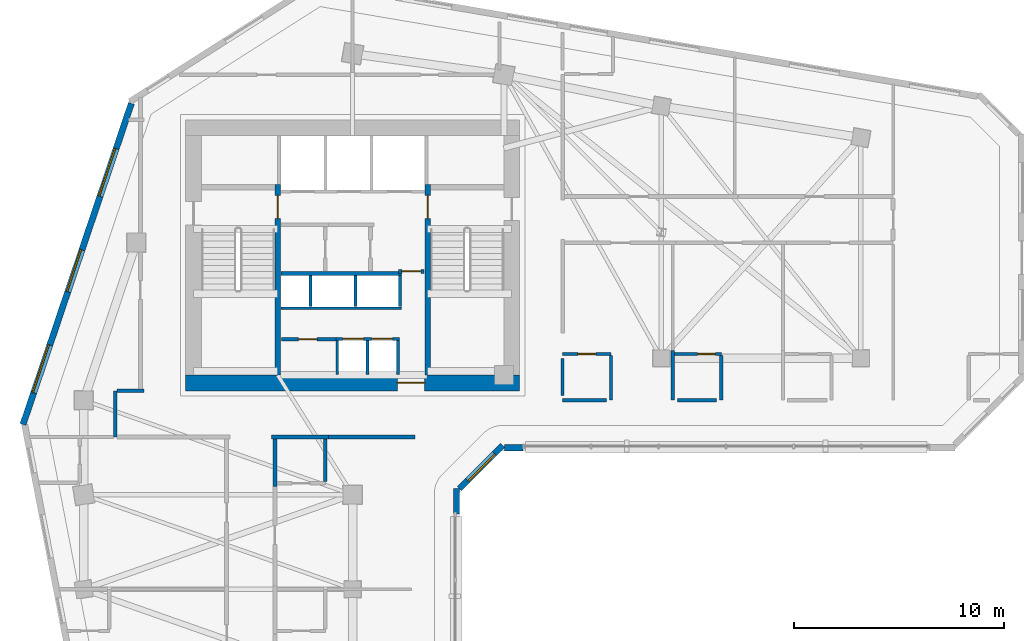
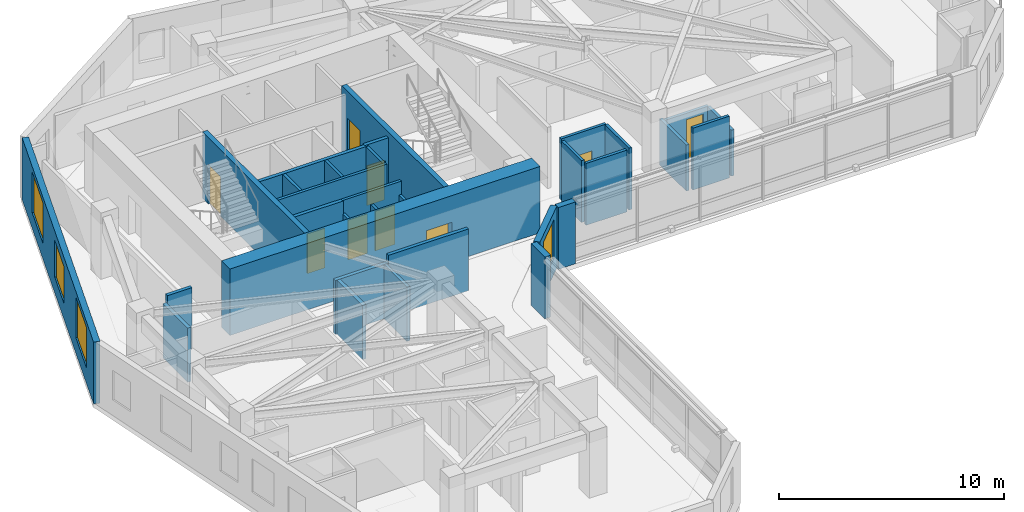
# One storey, part 6 of 14: 32 walls, 9 doors, 4 windows, 13 openings.
"""IFC4 building model written with IfcOpenShell, lengths in metres."""

from ifc_helpers import new_model, si_unit, direction, frame, frame_2d, origin, place, context, subcontext, project, spatial, rectangle, extrude, source, transform, mapped, material, layer, layer_set, type_object, element, fill, save


model = new_model("IFC4")

# Units and contexts
model_context = context("Model", 3, precision=1e-05, world=origin(), true_north=direction((0.0, 1.0)))
body_context = subcontext(model_context, "Body", "Model", "MODEL_VIEW")
ifc_project = project(units=[si_unit("LENGTHUNIT", "METRE"), si_unit("AREAUNIT", "SQUARE_METRE"), si_unit("VOLUMEUNIT", "CUBIC_METRE"), si_unit("PLANEANGLEUNIT", "RADIAN"), si_unit("MASSUNIT", "GRAM", prefix="KILO")], contexts=[model_context])

# Site, building, storey
site_placement = place(None, origin())
site = spatial("IfcSite", under=ifc_project, at=site_placement, CompositionType="ELEMENT")
building_placement = place(site_placement, origin())
building = spatial("IfcBuilding", under=site, at=building_placement, Name="Calvemar Wedge Station Tower", CompositionType="ELEMENT")
storey_placement = place(building_placement, frame((0.0, 0.0, 125.0)))
storey = spatial("IfcBuildingStorey", under=building, at=storey_placement, Name="L30", CompositionType="ELEMENT", Elevation=125.0)

# Wall, opening, door
ifc_material_1 = material(Name="Concrete C50", Category="concrete")
ifc_layer_1 = layer(ifc_material_1, 0.260009765625)
ifc_layer_set_1 = layer_set([ifc_layer_1], Name="Concrete C50")
wall_type_1 = type_object("IfcWallType", Name="SW-CORE-260", PredefinedType="SHEAR", material=ifc_layer_set_1)
wall_1_placement = place(storey_placement, frame((20.22998046875, 34.199951171875, 0.0), z_axis=(0.0, 0.0, 1.0), x_axis=(0.0, 1.0, 0.0)))
wall_1 = element("IfcWall", 1, at=wall_1_placement, inside=storey, type_object=wall_type_1, Name="Storey L30 Core Shear Wall SPINE-W", PredefinedType="SHEAR", context=body_context, shape_type="SweptSolid", body=[
    extrude(rectangle(XDim=9.06005859375, YDim=0.260009765625, at=frame_2d((4.530029296875, 0.0))), origin(), (0.0, 0.0, 1.0), 3.60009765625),
])
shared_shape_1 = source(origin(), body_context, "Body", "SweptSolid", [
    extrude(rectangle(XDim=1.10009765625, YDim=2.14990234375, at=frame_2d((0.550048828125, 1.074951171875))), frame((0.0, 0.14013671875, 0.0), z_axis=(0.0, -1.0, 0.0), x_axis=(1.0, 0.0, 0.0)), (0.0, 0.0, 1.0), 0.280029296875),
])
opening_1_placement = place(wall_1_placement, frame((7.449951171875, 0.0, 0.0)))
opening_1 = element("IfcOpeningElement", 2, at=opening_1_placement, cuts=wall_1, Name="Opening FD-90", PredefinedType="OPENING", context=body_context, shape_type="MappedRepresentation", body=[
    mapped(shared_shape_1, transform((0.0, 0.0, 0.0), scale=1.0)),
])
ifc_material_2 = material(Name="Galvanized fire-rated steel door leaf P-90", Category="steel")
door_type_1 = type_object("IfcDoorType", Name="DR-FD90-1100", OperationType="NOTDEFINED", PredefinedType="DOOR", material=ifc_material_2)
shared_shape_2 = source(origin(), body_context, "Body", "SweptSolid", [
    extrude(rectangle(XDim=1.10009765625, YDim=2.14990234375, at=frame_2d((0.550048828125, 1.074951171875))), frame((0.0, 0.02490234375, 0.0), z_axis=(0.0, -1.0, 0.0), x_axis=(1.0, 0.0, 0.0)), (0.0, 0.0, 1.0), 0.050048828125),
])
door_1_placement = place(opening_1_placement, origin())
door_1 = element("IfcDoor", 3, at=door_1_placement, inside=storey, type_object=door_type_1, Name="L30 FF Lobby to Stair ST-C1 Door", OperationType="SINGLE_SWING_RIGHT", OverallHeight=2.14990234375, OverallWidth=1.10009765625, PredefinedType="DOOR", context=body_context, shape_type="MappedRepresentation", body=[
    mapped(shared_shape_2, transform((0.0, 0.0, 0.0), scale=1.0)),
])
fill(opening_1, door_1)

wall_2_placement = place(storey_placement, frame((27.3701171875, 34.199951171875, 0.0), z_axis=(0.0, 0.0, 1.0), x_axis=(0.0, 1.0, 0.0)))
wall_2 = element("IfcWall", 4, at=wall_2_placement, inside=storey, type_object=wall_type_1, Name="Storey L30 Core Shear Wall SPINE-E", PredefinedType="SHEAR", context=body_context, shape_type="SweptSolid", body=[
    extrude(rectangle(XDim=9.06005859375, YDim=0.260009765625, at=frame_2d((4.530029296875, 0.0))), origin(), (0.0, 0.0, 1.0), 3.60009765625),
])
opening_2_placement = place(wall_2_placement, frame((7.449951171875, 0.0, 0.0)))
opening_2 = element("IfcOpeningElement", 5, at=opening_2_placement, cuts=wall_2, Name="Opening FD-90", PredefinedType="OPENING", context=body_context, shape_type="MappedRepresentation", body=[
    mapped(shared_shape_1, transform((0.0, 0.0, 0.0), scale=1.0)),
])
door_2_placement = place(opening_2_placement, origin())
door_2 = element("IfcDoor", 6, at=door_2_placement, inside=storey, type_object=door_type_1, Name="L30 FF Lobby to Stair ST-C2 Door", OperationType="SINGLE_SWING_LEFT", OverallHeight=2.14990234375, OverallWidth=1.10009765625, PredefinedType="DOOR", context=body_context, shape_type="MappedRepresentation", body=[
    mapped(shared_shape_2, transform((0.0, 0.0, 0.0), scale=1.0)),
])
fill(opening_2, door_2)

ifc_material_3 = material(Name="Concrete C70", Category="concrete")
ifc_layer_2 = layer(ifc_material_3, 0.75)
ifc_layer_set_2 = layer_set([ifc_layer_2], Name="Concrete C70")
wall_type_2 = type_object("IfcWallType", Name="SW-CORE-750", PredefinedType="SHEAR", material=ifc_layer_set_2)
wall_3_placement = place(storey_placement, frame((15.85009765625, 33.824951171875, 0.0), z_axis=(0.0, 0.0, 1.0), x_axis=(1.0, 0.0, 0.0)))
wall_3 = element("IfcWall", 7, at=wall_3_placement, inside=storey, type_object=wall_type_2, Name="Storey L30 Core Shear Wall S", PredefinedType="SHEAR", context=body_context, shape_type="SweptSolid", body=[
    extrude(rectangle(XDim=15.89990234375, YDim=0.75, at=frame_2d((7.949951171875, 0.0))), origin(), (0.0, 0.0, 1.0), 3.60009765625),
])
shared_shape_3 = source(origin(), body_context, "Body", "SweptSolid", [
    extrude(rectangle(XDim=1.300048828125, YDim=2.14990234375, at=frame_2d((0.64990234375, 1.074951171875))), frame((0.0, 0.385009765625, 0.0), z_axis=(0.0, -1.0, 0.0), x_axis=(1.0, 0.0, 0.0)), (0.0, 0.0, 1.0), 0.77001953125),
])
opening_3_placement = place(wall_3_placement, frame((10.080078125, 0.0, 0.0)))
opening_3 = element("IfcOpeningElement", 8, at=opening_3_placement, cuts=wall_3, Name="Opening DD-130", PredefinedType="OPENING", context=body_context, shape_type="MappedRepresentation", body=[
    mapped(shared_shape_3, transform((0.0, 0.0, 0.0), scale=1.0)),
])
ifc_material_4 = material(Name="Double-leaf lift lobby fire door EI 60")
door_type_2 = type_object("IfcDoorType", Name="DR-DBL-1300", OperationType="DOUBLE_DOOR_SINGLE_SWING", PredefinedType="DOOR", material=ifc_material_4)
shared_shape_4 = source(origin(), body_context, "Body", "SweptSolid", [
    extrude(rectangle(XDim=1.300048828125, YDim=2.14990234375, at=frame_2d((0.64990234375, 1.074951171875))), frame((0.0, 0.02490234375, 0.0), z_axis=(0.0, -1.0, 0.0), x_axis=(1.0, 0.0, 0.0)), (0.0, 0.0, 1.0), 0.050048828125),
])
door_3_placement = place(opening_3_placement, origin())
door_3 = element("IfcDoor", 9, at=door_3_placement, inside=storey, type_object=door_type_2, Name="L30 Passenger Lift Lobby Door", OperationType="DOUBLE_DOOR_SINGLE_SWING", OverallHeight=2.14990234375, OverallWidth=1.300048828125, PredefinedType="DOOR", context=body_context, shape_type="MappedRepresentation", body=[
    mapped(shared_shape_4, transform((0.0, 0.0, 0.0), scale=1.0)),
])
fill(opening_3, door_3)

ifc_material_5 = material(Name="Double-stud fire-rated corridor partition")
ifc_layer_3 = layer(ifc_material_5, 0.179931640625)
ifc_layer_set_3 = layer_set([ifc_layer_3], Name="Double-stud fire-rated corridor partition")
wall_type_3 = type_object("IfcWallType", Name="W-CORR-180", PredefinedType="PARTITIONING", material=ifc_layer_set_3)
wall_4_placement = place(storey_placement, frame((27.199951171875, 39.1298828125, 0.0), z_axis=(0.0, 0.0, 1.0), x_axis=(-1.0, 0.0, 0.0)))
wall_4 = element("IfcWall", 10, at=wall_4_placement, inside=storey, type_object=wall_type_3, Name="Storey L30 Interior Partition WL-L30-005", PredefinedType="PARTITIONING", context=body_context, shape_type="SweptSolid", body=[
    extrude(rectangle(XDim=1.2099609375, YDim=0.179931640625, at=frame_2d((0.60498046875, 0.0))), origin(), (0.0, 0.0, 1.0), 3.35009765625),
])
shared_shape_5 = source(origin(), body_context, "Body", "SweptSolid", [
    extrude(rectangle(XDim=0.89990234375, YDim=2.14990234375, at=frame_2d((0.449951171875, 1.074951171875))), frame((0.0, 0.10009765625, 0.0), z_axis=(0.0, -1.0, 0.0), x_axis=(1.0, 0.0, 0.0)), (0.0, 0.0, 1.0), 0.199951171875),
])
opening_4_placement = place(wall_4_placement, frame((0.155029296875, 0.0, 0.0)))
opening_4 = element("IfcOpeningElement", 11, at=opening_4_placement, cuts=wall_4, Name="Opening FD-60", PredefinedType="OPENING", context=body_context, shape_type="MappedRepresentation", body=[
    mapped(shared_shape_5, transform((0.0, 0.0, 0.0), scale=1.0)),
])
ifc_material_6 = material(Name="Fire-rated acoustic timber-core entrance door EI 60", Category="wood")
door_type_3 = type_object("IfcDoorType", Name="DR-FD60-900", OperationType="NOTDEFINED", PredefinedType="DOOR", material=ifc_material_6)
shared_shape_6 = source(origin(), body_context, "Body", "SweptSolid", [
    extrude(rectangle(XDim=0.89990234375, YDim=2.14990234375, at=frame_2d((0.449951171875, 1.074951171875))), frame((0.0, 0.02490234375, 0.0), z_axis=(0.0, -1.0, 0.0), x_axis=(1.0, 0.0, 0.0)), (0.0, 0.0, 1.0), 0.050048828125),
])
door_4_placement = place(opening_4_placement, origin())
door_4 = element("IfcDoor", 12, at=door_4_placement, inside=storey, type_object=door_type_3, Name="L30 Core Service Lobby Door", OperationType="SINGLE_SWING_RIGHT", OverallHeight=2.14990234375, OverallWidth=0.89990234375, PredefinedType="DOOR", context=body_context, shape_type="MappedRepresentation", body=[
    mapped(shared_shape_6, transform((0.0, 0.0, 0.0), scale=1.0)),
])
fill(opening_4, door_4)

wall_5_placement = place(storey_placement, frame((20.419921875, 35.89990234375, 0.0), z_axis=(0.0, 0.0, 1.0), x_axis=(1.0, 0.0, 0.0)))
wall_5 = element("IfcWall", 13, at=wall_5_placement, inside=storey, type_object=wall_type_3, Name="Storey L30 Interior Partition WL-L30-006", PredefinedType="PARTITIONING", context=body_context, shape_type="SweptSolid", body=[
    extrude(rectangle(XDim=2.6201171875, YDim=0.179931640625, at=frame_2d((1.31005859375, 0.0))), origin(), (0.0, 0.0, 1.0), 3.35009765625),
])
opening_5_placement = place(wall_5_placement, frame((0.795654296875, 0.0, 0.0)))
opening_5 = element("IfcOpeningElement", 14, at=opening_5_placement, cuts=wall_5, Name="Opening FD-60", PredefinedType="OPENING", context=body_context, shape_type="MappedRepresentation", body=[
    mapped(shared_shape_5, transform((0.0, 0.0, 0.0), scale=1.0)),
])
door_5_placement = place(opening_5_placement, origin())
door_5 = element("IfcDoor", 15, at=door_5_placement, inside=storey, type_object=door_type_3, Name="L30 Housekeeping Store Door", OperationType="SINGLE_SWING_LEFT", OverallHeight=2.14990234375, OverallWidth=0.89990234375, PredefinedType="DOOR", context=body_context, shape_type="MappedRepresentation", body=[
    mapped(shared_shape_6, transform((0.0, 0.0, 0.0), scale=1.0)),
])
fill(opening_5, door_5)

# Walls
wall_6_placement = place(storey_placement, frame((12.5, 31.25, 0.0), z_axis=(0.0, 0.0, 1.0), x_axis=(0.0, 1.0, 0.0)))
element("IfcWall", 16, at=wall_6_placement, inside=storey, type_object=wall_type_3, Name="Storey L30 Interior Partition WL-L30-007", PredefinedType="PARTITIONING", context=body_context, shape_type="SweptSolid", body=[
    extrude(rectangle(XDim=2.199951171875, YDim=0.179931640625, at=frame_2d((1.10009765625, 0.0))), origin(), (0.0, 0.0, 1.0), 2.93505859375),
])
wall_7_placement = place(storey_placement, frame((12.593994140625, 33.449951171875, 0.0), z_axis=(0.0, 0.0, 1.0), x_axis=(1.0, 0.0, 0.0)))
element("IfcWall", 17, at=wall_7_placement, inside=storey, type_object=wall_type_3, Name="Storey L30 Interior Partition WL-L30-008", PredefinedType="PARTITIONING", context=body_context, shape_type="SweptSolid", body=[
    extrude(rectangle(XDim=1.26611328125, YDim=0.179931640625, at=frame_2d((0.633056640625, 0.0))), origin(), (0.0, 0.0, 1.0), 3.35009765625),
])
wall_8_placement = place(storey_placement, frame((22.659912109375, 31.25, 0.0), z_axis=(0.0, 0.0, 1.0), x_axis=(-1.0, 0.0, 0.0)))
element("IfcWall", 18, at=wall_8_placement, inside=storey, type_object=wall_type_3, Name="Storey L30 Interior Partition WL-L30-010", PredefinedType="PARTITIONING", context=body_context, shape_type="SweptSolid", body=[
    extrude(rectangle(XDim=2.719970703125, YDim=0.179931640625, at=frame_2d((1.35986328125, 0.0))), origin(), (0.0, 0.0, 1.0), 2.93505859375),
])
wall_9_placement = place(storey_placement, frame((26.760009765625, 31.25, 0.0), z_axis=(0.0, 0.0, 1.0), x_axis=(-1.0, 0.0, 0.0)))
element("IfcWall", 19, at=wall_9_placement, inside=storey, type_object=wall_type_3, Name="Storey L30 Interior Partition WL-L30-011", PredefinedType="PARTITIONING", context=body_context, shape_type="SweptSolid", body=[
    extrude(rectangle(XDim=4.097900390625, YDim=0.179931640625, at=frame_2d((2.048828125, 0.0))), origin(), (0.0, 0.0, 1.0), 3.35009765625),
])
wall_10_placement = place(storey_placement, frame((20.10009765625, 31.156005859375, 0.0), z_axis=(0.0, 0.0, 1.0), x_axis=(0.0, -1.0, 0.0)))
element("IfcWall", 20, at=wall_10_placement, inside=storey, type_object=wall_type_3, Name="Storey L30 Interior Partition WL-L30-052", PredefinedType="PARTITIONING", context=body_context, shape_type="SweptSolid", body=[
    extrude(rectangle(XDim=2.26611328125, YDim=0.179931640625, at=frame_2d((1.133056640625, 0.0))), origin(), (0.0, 0.0, 1.0), 2.93505859375),
])
ifc_material_7 = material(Name="Precast concrete C45", Category="concrete")
ifc_layer_4 = layer(ifc_material_7, 0.300048828125)
ifc_layer_set_4 = layer_set([ifc_layer_4], Name="Precast concrete C45")
wall_type_4 = type_object("IfcWallType", Name="W-EXT-GFRC-300", PredefinedType="SOLIDWALL", material=ifc_layer_set_4)
wall_11_placement = place(storey_placement, frame((28.74609375, 27.57666015625, 0.0), z_axis=(0.0, 0.0, 1.0), x_axis=(0.0, 1.0, 0.0)))
element("IfcWall", 21, at=wall_11_placement, inside=storey, type_object=wall_type_4, Name="Storey L30 Bronze GFRC Corner Pier 4B", PredefinedType="SOLIDWALL", context=body_context, shape_type="SweptSolid", body=[
    extrude(rectangle(XDim=1.2275390625, YDim=0.300048828125, at=frame_2d((0.61376953125, 0.0))), origin(), (0.0, 0.0, 1.0), 3.35009765625),
])

# Wall, opening, window
wall_12_placement = place(storey_placement, frame((28.884033203125, 28.7919921875, 0.0), z_axis=(0.0, 0.0, 1.0), x_axis=(0.707064797706, 0.707148762175, 0.0)))
wall_12 = element("IfcWall", 22, at=wall_12_placement, inside=storey, type_object=wall_type_4, Name="Storey L30 Bronze GFRC Exterior Wall 5", PredefinedType="SOLIDWALL", context=body_context, shape_type="SweptSolid", body=[
    extrude(rectangle(XDim=2.90771484375, YDim=0.300048828125, at=frame_2d((1.453857421875, 0.0))), origin(), (0.0, 0.0, 1.0), 3.35009765625),
])
shared_shape_7 = source(origin(), body_context, "Body", "SweptSolid", [
    extrude(rectangle(XDim=1.800048828125, YDim=2.10009765625, at=frame_2d((0.89990234375, 1.050048828125))), frame((0.0, 0.16015625, 0.0), z_axis=(0.0, -1.0, 0.0), x_axis=(1.0, 0.0, 0.0)), (0.0, 0.0, 1.0), 0.320068359375),
])
opening_6_placement = place(wall_12_placement, frame((0.553955078125, 0.0, 0.85009765625)))
opening_6 = element("IfcOpeningElement", 23, at=opening_6_placement, cuts=wall_12, Name="Opening W2", PredefinedType="OPENING", context=body_context, shape_type="MappedRepresentation", body=[
    mapped(shared_shape_7, transform((0.0, 0.0, 0.0), scale=1.0)),
])
ifc_material_8 = material(Name="Low-E laminated insulated glass", Category="glass")
window_type_1 = type_object("IfcWindowType", Name="WIN-EXT-2", PartitioningType="SINGLE_PANEL", PredefinedType="WINDOW", material=ifc_material_8)
shared_shape_8 = source(origin(), body_context, "Body", "SweptSolid", [
    extrude(rectangle(XDim=1.800048828125, YDim=2.10009765625, at=frame_2d((0.89990234375, 1.050048828125))), frame((0.0, -0.014892578125, 0.0), z_axis=(0.0, -1.0, 0.0), x_axis=(1.0, 0.0, 0.0)), (0.0, 0.0, 1.0), 0.06005859375),
])
window_1_placement = place(opening_6_placement, origin())
window_1 = element("IfcWindow", 24, at=window_1_placement, inside=storey, type_object=window_type_1, Name="Storey L30 Recessed Window 5.1", OverallHeight=2.10009765625, OverallWidth=1.800048828125, PartitioningType="SINGLE_PANEL", PredefinedType="WINDOW", context=body_context, shape_type="MappedRepresentation", body=[
    mapped(shared_shape_8, transform((0.0, 0.0, 0.0), scale=1.0)),
])
fill(opening_6, window_1)

# Wall
wall_13_placement = place(storey_placement, frame((31.029052734375, 30.741943359375, 0.0), z_axis=(0.0, 0.0, 1.0), x_axis=(1.0, 0.0, 0.0)))
element("IfcWall", 25, at=wall_13_placement, inside=storey, type_object=wall_type_4, Name="Storey L30 Bronze GFRC Corner Pier 6A", PredefinedType="SOLIDWALL", context=body_context, shape_type="SweptSolid", body=[
    extrude(rectangle(XDim=0.88232421875, YDim=0.300048828125, at=frame_2d((0.441162109375, 0.0))), origin(), (0.0, 0.0, 1.0), 3.35009765625),
])

# Wall, openings, windows
wall_14_placement = place(storey_placement, frame((13.2685546875, 47.1337890625, 0.0), z_axis=(0.0, 0.0, 1.0), x_axis=(-0.319929596295, -0.947441319246, 0.0)))
wall_14 = element("IfcWall", 26, at=wall_14_placement, inside=storey, type_object=wall_type_4, Name="Storey L30 Bronze GFRC Exterior Wall 12", PredefinedType="SOLIDWALL", context=body_context, shape_type="SweptSolid", body=[
    extrude(rectangle(XDim=16.13427734375, YDim=0.300048828125, at=frame_2d((8.067138671875, 0.0))), origin(), (0.0, 0.0, 1.0), 3.35009765625),
])
shared_shape_9 = source(origin(), body_context, "Body", "SweptSolid", [
    extrude(rectangle(XDim=2.39990234375, YDim=2.199951171875, at=frame_2d((1.199951171875, 1.10009765625))), frame((0.0, 0.16015625, 0.0), z_axis=(0.0, -1.0, 0.0), x_axis=(1.0, 0.0, 0.0)), (0.0, 0.0, 1.0), 0.320068359375),
])
opening_7_placement = place(wall_14_placement, frame((2.27587890625, 0.0, 0.85009765625)))
opening_7 = element("IfcOpeningElement", 27, at=opening_7_placement, cuts=wall_14, Name="Opening W1", PredefinedType="OPENING", context=body_context, shape_type="MappedRepresentation", body=[
    mapped(shared_shape_9, transform((0.0, 0.0, 0.0), scale=1.0)),
])
shared_shape_10 = source(origin(), body_context, "Body", "SweptSolid", [
    extrude(rectangle(XDim=2.10009765625, YDim=2.0, at=frame_2d((1.050048828125, 1.0))), frame((0.0, 0.16015625, 0.0), z_axis=(0.0, -1.0, 0.0), x_axis=(1.0, 0.0, 0.0)), (0.0, 0.0, 1.0), 0.320068359375),
])
opening_8_placement = place(wall_14_placement, frame((7.361083984375, 0.0, 0.85009765625)))
opening_8 = element("IfcOpeningElement", 28, at=opening_8_placement, cuts=wall_14, Name="Opening W4", PredefinedType="OPENING", context=body_context, shape_type="MappedRepresentation", body=[
    mapped(shared_shape_10, transform((0.0, 0.0, 0.0), scale=1.0)),
])
opening_9_placement = place(wall_14_placement, frame((12.14697265625, 0.0, 0.85009765625)))
opening_9 = element("IfcOpeningElement", 29, at=opening_9_placement, cuts=wall_14, Name="Opening W1", PredefinedType="OPENING", context=body_context, shape_type="MappedRepresentation", body=[
    mapped(shared_shape_9, transform((0.0, 0.0, 0.0), scale=1.0)),
])
window_type_2 = type_object("IfcWindowType", Name="WIN-EXT-4", PartitioningType="SINGLE_PANEL", PredefinedType="WINDOW", material=ifc_material_8)
shared_shape_11 = source(origin(), body_context, "Body", "SweptSolid", [
    extrude(rectangle(XDim=2.10009765625, YDim=2.0, at=frame_2d((1.050048828125, 1.0))), frame((0.0, -0.014892578125, 0.0), z_axis=(0.0, -1.0, 0.0), x_axis=(1.0, 0.0, 0.0)), (0.0, 0.0, 1.0), 0.06005859375),
])
window_2_placement = place(opening_8_placement, origin())
window_2 = element("IfcWindow", 30, at=window_2_placement, inside=storey, type_object=window_type_2, Name="Storey L30 Recessed Window 12.2", OverallHeight=2.0, OverallWidth=2.10009765625, PartitioningType="SINGLE_PANEL", PredefinedType="WINDOW", context=body_context, shape_type="MappedRepresentation", body=[
    mapped(shared_shape_11, transform((0.0, 0.0, 0.0), scale=1.0)),
])
fill(opening_8, window_2)
window_type_3 = type_object("IfcWindowType", Name="WIN-EXT-1", PartitioningType="SINGLE_PANEL", PredefinedType="WINDOW", material=ifc_material_8)
shared_shape_12 = source(origin(), body_context, "Body", "SweptSolid", [
    extrude(rectangle(XDim=2.39990234375, YDim=2.199951171875, at=frame_2d((1.199951171875, 1.10009765625))), frame((0.0, -0.014892578125, 0.0), z_axis=(0.0, -1.0, 0.0), x_axis=(1.0, 0.0, 0.0)), (0.0, 0.0, 1.0), 0.06005859375),
])
window_3_placement = place(opening_7_placement, origin())
window_3 = element("IfcWindow", 31, at=window_3_placement, inside=storey, type_object=window_type_3, Name="Storey L30 Recessed Window 12.1", OverallHeight=2.199951171875, OverallWidth=2.39990234375, PartitioningType="SINGLE_PANEL", PredefinedType="WINDOW", context=body_context, shape_type="MappedRepresentation", body=[
    mapped(shared_shape_12, transform((0.0, 0.0, 0.0), scale=1.0)),
])
fill(opening_7, window_3)
window_4_placement = place(opening_9_placement, origin())
window_4 = element("IfcWindow", 32, at=window_4_placement, inside=storey, type_object=window_type_3, Name="Storey L30 Recessed Window 12.3", OverallHeight=2.199951171875, OverallWidth=2.39990234375, PartitioningType="SINGLE_PANEL", PredefinedType="WINDOW", context=body_context, shape_type="MappedRepresentation", body=[
    mapped(shared_shape_12, transform((0.0, 0.0, 0.0), scale=1.0)),
])
fill(opening_9, window_4)

# Wall, openings, doors
ifc_material_9 = material(Name="Reinforced concrete blockwork lift shaft wall", Category="masonry")
ifc_layer_5 = layer(ifc_material_9, 0.139892578125)
ifc_layer_set_5 = layer_set([ifc_layer_5], Name="Reinforced concrete blockwork lift shaft wall")
wall_type_5 = type_object("IfcWallType", Name="W-LIFT-160", PredefinedType="SOLIDWALL", material=ifc_layer_set_5)
wall_15_placement = place(storey_placement, frame((23.0, 35.919921875, 0.0), z_axis=(0.0, 0.0, 1.0), x_axis=(1.0, 0.0, 0.0)))
wall_15 = element("IfcWall", 33, at=wall_15_placement, inside=storey, type_object=wall_type_5, Name="Storey L30 South Passenger Lift Bank Front Wall", PredefinedType="SOLIDWALL", context=body_context, shape_type="SweptSolid", body=[
    extrude(rectangle(XDim=3.030029296875, YDim=0.139892578125, at=frame_2d((1.51513671875, 0.0))), origin(), (0.0, 0.0, 1.0), 3.35009765625),
])
shared_shape_13 = source(origin(), body_context, "Body", "SweptSolid", [
    extrude(rectangle(XDim=1.0, YDim=2.14990234375, at=frame_2d((0.5, 1.074951171875))), frame((0.0, 0.080078125, 0.0), z_axis=(0.0, -1.0, 0.0), x_axis=(1.0, 0.0, 0.0)), (0.0, 0.0, 1.0), 0.159912109375),
])
opening_10_placement = place(wall_15_placement, frame((0.320068359375, 0.0, 0.0)))
opening_10 = element("IfcOpeningElement", 34, at=opening_10_placement, cuts=wall_15, Name="Opening LD-PAX", PredefinedType="OPENING", context=body_context, shape_type="MappedRepresentation", body=[
    mapped(shared_shape_13, transform((0.0, 0.0, 0.0), scale=1.0)),
])
opening_11_placement = place(wall_15_placement, frame((1.7099609375, 0.0, 0.0)))
opening_11 = element("IfcOpeningElement", 35, at=opening_11_placement, cuts=wall_15, Name="Opening LD-PAX", PredefinedType="OPENING", context=body_context, shape_type="MappedRepresentation", body=[
    mapped(shared_shape_13, transform((0.0, 0.0, 0.0), scale=1.0)),
])
ifc_material_10 = material(Name="Anodised bronze passenger lift sliding landing door")
door_type_4 = type_object("IfcDoorType", Name="DR-LD-PAX-1000", OperationType="SLIDING_TO_LEFT", PredefinedType="DOOR", material=ifc_material_10)
shared_shape_14 = source(origin(), body_context, "Body", "SweptSolid", [
    extrude(rectangle(XDim=1.0, YDim=2.14990234375, at=frame_2d((0.5, 1.074951171875))), frame((0.0, 0.02490234375, 0.0), z_axis=(0.0, -1.0, 0.0), x_axis=(1.0, 0.0, 0.0)), (0.0, 0.0, 1.0), 0.050048828125),
])
door_6_placement = place(opening_10_placement, origin())
door_6 = element("IfcDoor", 36, at=door_6_placement, inside=storey, type_object=door_type_4, Name="L30 Lift HL-01 Sliding Landing Door", OperationType="SLIDING_TO_LEFT", OverallHeight=2.14990234375, OverallWidth=1.0, PredefinedType="DOOR", context=body_context, shape_type="MappedRepresentation", body=[
    mapped(shared_shape_14, transform((0.0, 0.0, 0.0), scale=1.0)),
])
fill(opening_10, door_6)
door_7_placement = place(opening_11_placement, origin())
door_7 = element("IfcDoor", 37, at=door_7_placement, inside=storey, type_object=door_type_4, Name="L30 Lift HL-02 Sliding Landing Door", OperationType="SLIDING_TO_RIGHT", OverallHeight=2.14990234375, OverallWidth=1.0, PredefinedType="DOOR", context=body_context, shape_type="MappedRepresentation", body=[
    mapped(shared_shape_14, transform((0.0, 0.0, 0.0), scale=1.0)),
])
fill(opening_11, door_7)

# Walls
for number, where, z_axis, x_axis, name in (
    (38, (25.9599609375, 34.219970703125, 0.0), (0.0, 0.0, 1.0), (0.0, 1.0, 0.0), "Storey L30 South Passenger Lift Shaft Wall E"),
    (39, (23.070068359375, 34.219970703125, 0.0), (0.0, 0.0, 1.0), (0.0, 1.0, 0.0), "Storey L30 South Passenger Lift Shaft Wall W"),
    (40, (24.514892578125, 34.219970703125, 0.0), (0.0, 0.0, 1.0), (0.0, 1.0, 0.0), "Storey L30 South Passenger Lift Shaft Wall D1"),
):
    element("IfcWall", number, at=place(storey_placement, frame(where, z_axis=z_axis, x_axis=x_axis)), inside=storey, type_object=wall_type_5, Name=name, PredefinedType="SOLIDWALL", context=body_context, shape_type="SweptSolid", body=[
        extrude(rectangle(XDim=1.6201171875, YDim=0.139892578125, at=frame_2d((0.81005859375, 0.0))), origin(), (0.0, 0.0, 1.0), 2.64208984375),
    ])
wall_16_placement = place(storey_placement, frame((20.3798828125, 37.3798828125, 0.0), z_axis=(0.0, 0.0, 1.0), x_axis=(1.0, 0.0, 0.0)))
element("IfcWall", 41, at=wall_16_placement, inside=storey, type_object=wall_type_5, Name="Storey L30 Upper Passenger Lift Bank Front Wall", PredefinedType="SOLIDWALL", context=body_context, shape_type="SweptSolid", body=[
    extrude(rectangle(XDim=5.75, YDim=0.139892578125, at=frame_2d((2.875, 0.0))), origin(), (0.0, 0.0, 1.0), 3.35009765625),
])
for number, where, z_axis, x_axis, name in (
    (42, (26.06005859375, 37.4599609375, 0.0), (0.0, 0.0, 1.0), (0.0, 1.0, 0.0), "Storey L30 Upper Passenger Lift Shaft Wall E"),
    (43, (21.794921875, 37.4599609375, 0.0), (0.0, 0.0, 1.0), (0.0, 1.0, 0.0), "Storey L30 Upper Passenger Lift Shaft Wall D1"),
    (44, (23.93505859375, 37.4599609375, 0.0), (0.0, 0.0, 1.0), (0.0, 1.0, 0.0), "Storey L30 Upper Passenger Lift Shaft Wall D2"),
):
    element("IfcWall", number, at=place(storey_placement, frame(where, z_axis=z_axis, x_axis=x_axis)), inside=storey, type_object=wall_type_5, Name=name, PredefinedType="SOLIDWALL", context=body_context, shape_type="SweptSolid", body=[
        extrude(rectangle(XDim=1.47998046875, YDim=0.139892578125, at=frame_2d((0.739990234375, 0.0))), origin(), (0.0, 0.0, 1.0), 3.35009765625),
    ])
ifc_material_11 = material(Name="Concrete blockwork and fireboard shaft wall", Category="masonry")
ifc_layer_6 = layer(ifc_material_11, 0.199951171875)
ifc_layer_set_6 = layer_set([ifc_layer_6], Name="Concrete blockwork and fireboard shaft wall")
wall_type_6 = type_object("IfcWallType", Name="W-SHAFT-200", PredefinedType="SOLIDWALL", material=ifc_layer_set_6)
wall_17_placement = place(storey_placement, frame((20.3798828125, 39.0400390625, 0.0), z_axis=(0.0, 0.0, 1.0), x_axis=(1.0, 0.0, 0.0)))
element("IfcWall", 45, at=wall_17_placement, inside=storey, type_object=wall_type_6, Name="Storey L30 Upper Passenger Lift Bank Rear Shaft Wall", PredefinedType="SOLIDWALL", context=body_context, shape_type="SweptSolid", body=[
    extrude(rectangle(XDim=5.75, YDim=0.179931640625, at=frame_2d((2.875, 0.0))), origin(), (0.0, 0.0, 1.0), 3.35009765625),
])

# Wall, opening, door
ifc_material_12 = material(Name="Moisture-resistant acoustic bathroom partition")
ifc_layer_7 = layer(ifc_material_12, 0.14990234375)
ifc_layer_set_7 = layer_set([ifc_layer_7], Name="Moisture-resistant acoustic bathroom partition")
wall_type_7 = type_object("IfcWallType", Name="W-WET-150", PredefinedType="PARTITIONING", material=ifc_layer_set_7)
wall_18_placement = place(storey_placement, frame((33.800048828125, 35.199951171875, 0.0), z_axis=(0.0, 0.0, 1.0), x_axis=(1.0, 0.0, 0.0)))
wall_18 = element("IfcWall", 46, at=wall_18_placement, inside=storey, type_object=wall_type_7, Name="Storey L30 Interior Partition WL-L30-028", PredefinedType="PARTITIONING", context=body_context, shape_type="SweptSolid", body=[
    extrude(rectangle(XDim=2.307861328125, YDim=0.14990234375, at=frame_2d((1.15380859375, 0.0))), origin(), (0.0, 0.0, 1.0), 3.35009765625),
])
shared_shape_15 = source(origin(), body_context, "Body", "SweptSolid", [
    extrude(rectangle(XDim=0.85009765625, YDim=2.14990234375, at=frame_2d((0.425048828125, 1.074951171875))), frame((0.0, 0.0849609375, 0.0), z_axis=(0.0, -1.0, 0.0), x_axis=(1.0, 0.0, 0.0)), (0.0, 0.0, 1.0), 0.169921875),
])
opening_12_placement = place(wall_18_placement, frame((0.72900390625, 0.0, 0.0)))
opening_12 = element("IfcOpeningElement", 47, at=opening_12_placement, cuts=wall_18, Name="Opening D-02", PredefinedType="OPENING", context=body_context, shape_type="MappedRepresentation", body=[
    mapped(shared_shape_15, transform((0.0, 0.0, 0.0), scale=1.0)),
])
ifc_material_13 = material(Name="Moisture-sealed bathroom hardwood swing door", Category="wood")
door_type_5 = type_object("IfcDoorType", Name="DR-WET-850", OperationType="NOTDEFINED", PredefinedType="DOOR", material=ifc_material_13)
shared_shape_16 = source(origin(), body_context, "Body", "SweptSolid", [
    extrude(rectangle(XDim=0.85009765625, YDim=2.14990234375, at=frame_2d((0.425048828125, 1.074951171875))), frame((0.0, 0.02490234375, 0.0), z_axis=(0.0, -1.0, 0.0), x_axis=(1.0, 0.0, 0.0)), (0.0, 0.0, 1.0), 0.050048828125),
])
door_8_placement = place(opening_12_placement, origin())
door_8 = element("IfcDoor", 48, at=door_8_placement, inside=storey, type_object=door_type_5, Name="L30 En-Suite Bathroom Door", OperationType="SINGLE_SWING_LEFT", OverallHeight=2.14990234375, OverallWidth=0.85009765625, PredefinedType="DOOR", context=body_context, shape_type="MappedRepresentation", body=[
    mapped(shared_shape_16, transform((0.0, 0.0, 0.0), scale=1.0)),
])
fill(opening_12, door_8)

# Walls
wall_19_placement = place(storey_placement, frame((36.10791015625, 35.12109375, 0.0), z_axis=(0.0, 0.0, 1.0), x_axis=(0.0, -1.0, 0.0)))
element("IfcWall", 49, at=wall_19_placement, inside=storey, type_object=wall_type_7, Name="Storey L30 Interior Partition WL-L30-029", PredefinedType="PARTITIONING", context=body_context, shape_type="SweptSolid", body=[
    extrude(rectangle(XDim=2.12109375, YDim=0.14990234375, at=frame_2d((1.060546875, 0.0))), origin(), (0.0, 0.0, 1.0), 3.35009765625),
])
wall_20_placement = place(storey_placement, frame((39.044921875, 35.360107421875, 0.0), z_axis=(0.0, 0.0, 1.0), x_axis=(0.0, -1.0, 0.0)))
element("IfcWall", 50, at=wall_20_placement, inside=storey, type_object=wall_type_7, Name="Storey L30 Interior Partition WL-L30-030", PredefinedType="PARTITIONING", context=body_context, shape_type="SweptSolid", body=[
    extrude(rectangle(XDim=2.360107421875, YDim=0.14990234375, at=frame_2d((1.18017578125, 0.0))), origin(), (0.0, 0.0, 1.0), 2.491943359375),
])

# Wall, opening, door
wall_21_placement = place(storey_placement, frame((39.1240234375, 35.199951171875, 0.0), z_axis=(0.0, 0.0, 1.0), x_axis=(1.0, 0.0, 0.0)))
wall_21 = element("IfcWall", 51, at=wall_21_placement, inside=storey, type_object=wall_type_7, Name="Storey L30 Interior Partition WL-L30-032", PredefinedType="PARTITIONING", context=body_context, shape_type="SweptSolid", body=[
    extrude(rectangle(XDim=2.22900390625, YDim=0.14990234375, at=frame_2d((1.114501953125, 0.0))), origin(), (0.0, 0.0, 1.0), 2.491943359375),
])
opening_13_placement = place(wall_21_placement, frame((1.09912109375, 0.0, 0.0)))
opening_13 = element("IfcOpeningElement", 52, at=opening_13_placement, cuts=wall_21, Name="Opening D-02", PredefinedType="OPENING", context=body_context, shape_type="MappedRepresentation", body=[
    mapped(shared_shape_15, transform((0.0, 0.0, 0.0), scale=1.0)),
])
door_9_placement = place(opening_13_placement, origin())
door_9 = element("IfcDoor", 53, at=door_9_placement, inside=storey, type_object=door_type_5, Name="L30 En-Suite Bathroom Door", OperationType="SINGLE_SWING_LEFT", OverallHeight=2.14990234375, OverallWidth=0.85009765625, PredefinedType="DOOR", context=body_context, shape_type="MappedRepresentation", body=[
    mapped(shared_shape_16, transform((0.0, 0.0, 0.0), scale=1.0)),
])
fill(opening_13, door_9)

# Walls
wall_22_placement = place(storey_placement, frame((41.35302734375, 35.12109375, 0.0), z_axis=(0.0, 0.0, 1.0), x_axis=(0.0, -1.0, 0.0)))
element("IfcWall", 54, at=wall_22_placement, inside=storey, type_object=wall_type_7, Name="Storey L30 Interior Partition WL-L30-033", PredefinedType="PARTITIONING", context=body_context, shape_type="SweptSolid", body=[
    extrude(rectangle(XDim=2.12109375, YDim=0.14990234375, at=frame_2d((1.060546875, 0.0))), origin(), (0.0, 0.0, 1.0), 2.491943359375),
])
wall_23_placement = place(storey_placement, frame((22.5, 31.156005859375, 0.0), z_axis=(0.0, 0.0, 1.0), x_axis=(0.0, -1.0, 0.0)))
element("IfcWall", 55, at=wall_23_placement, inside=storey, type_object=wall_type_7, Name="Storey L30 Interior Partition WL-L30-073", PredefinedType="PARTITIONING", context=body_context, shape_type="SweptSolid", body=[
    extrude(rectangle(XDim=2.027099609375, YDim=0.14990234375, at=frame_2d((1.013671875, 0.0))), origin(), (0.0, 0.0, 1.0), 2.93505859375),
])
wall_24_placement = place(storey_placement, frame((35.887939453125, 33.0, 0.0), z_axis=(0.0, 0.0, 1.0), x_axis=(-1.0, 0.0, 0.0)))
element("IfcWall", 56, at=wall_24_placement, inside=storey, type_object=wall_type_7, Name="Storey L30 Bathroom Enclosure Wall WL-L30-075", PredefinedType="PARTITIONING", context=body_context, shape_type="SweptSolid", body=[
    extrude(rectangle(XDim=2.087890625, YDim=0.14990234375, at=frame_2d((1.0439453125, 0.0))), origin(), (0.0, 0.0, 1.0), 3.35009765625),
])
wall_25_placement = place(storey_placement, frame((33.800048828125, 33.219970703125, 0.0), z_axis=(0.0, 0.0, 1.0), x_axis=(0.0, 1.0, 0.0)))
element("IfcWall", 57, at=wall_25_placement, inside=storey, type_object=wall_type_7, Name="Storey L30 Bathroom Enclosure Wall WL-L30-076", PredefinedType="PARTITIONING", context=body_context, shape_type="SweptSolid", body=[
    extrude(rectangle(XDim=1.760009765625, YDim=0.14990234375, at=frame_2d((0.8798828125, 0.0))), origin(), (0.0, 0.0, 1.0), 3.35009765625),
])
wall_26_placement = place(storey_placement, frame((41.133056640625, 33.0, 0.0), z_axis=(0.0, 0.0, 1.0), x_axis=(-1.0, 0.0, 0.0)))
element("IfcWall", 58, at=wall_26_placement, inside=storey, type_object=wall_type_7, Name="Storey L30 Bathroom Enclosure Wall WL-L30-077", PredefinedType="PARTITIONING", context=body_context, shape_type="SweptSolid", body=[
    extrude(rectangle(XDim=1.8681640625, YDim=0.14990234375, at=frame_2d((0.93408203125, 0.0))), origin(), (0.0, 0.0, 1.0), 3.35009765625),
])

save(model, "model.ifc")
